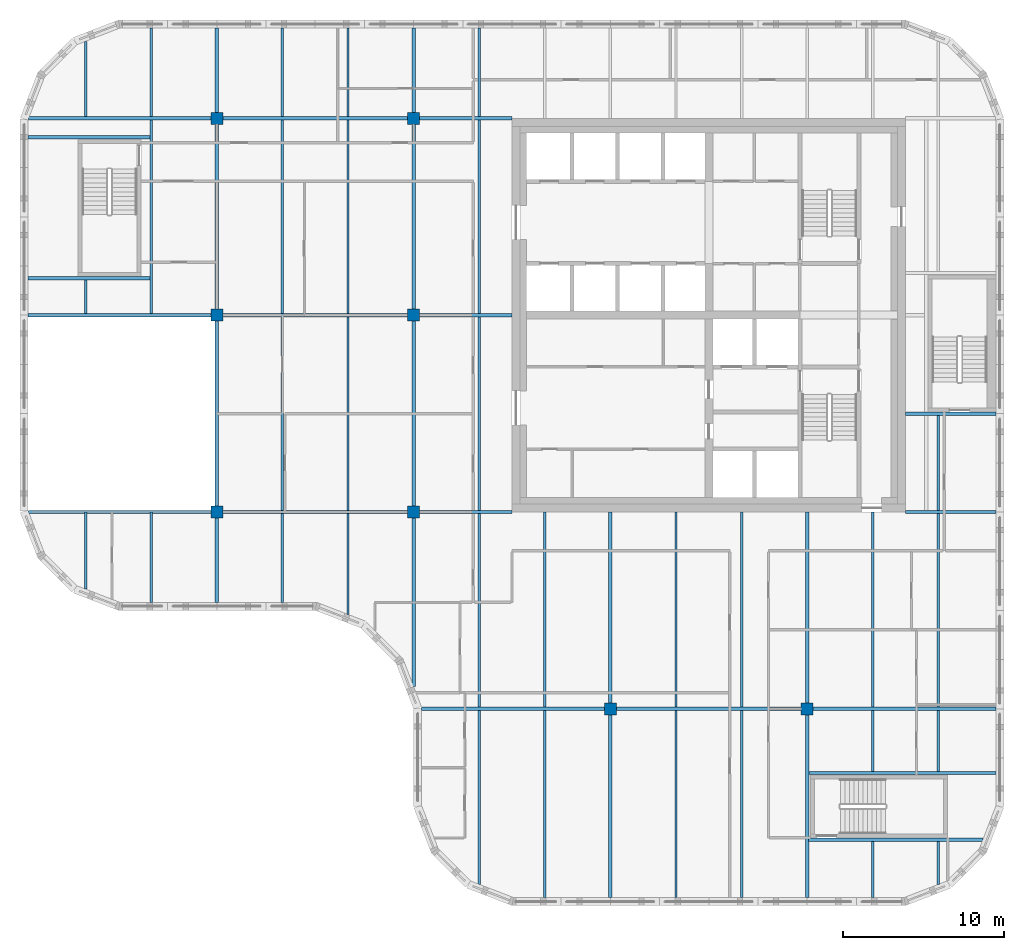
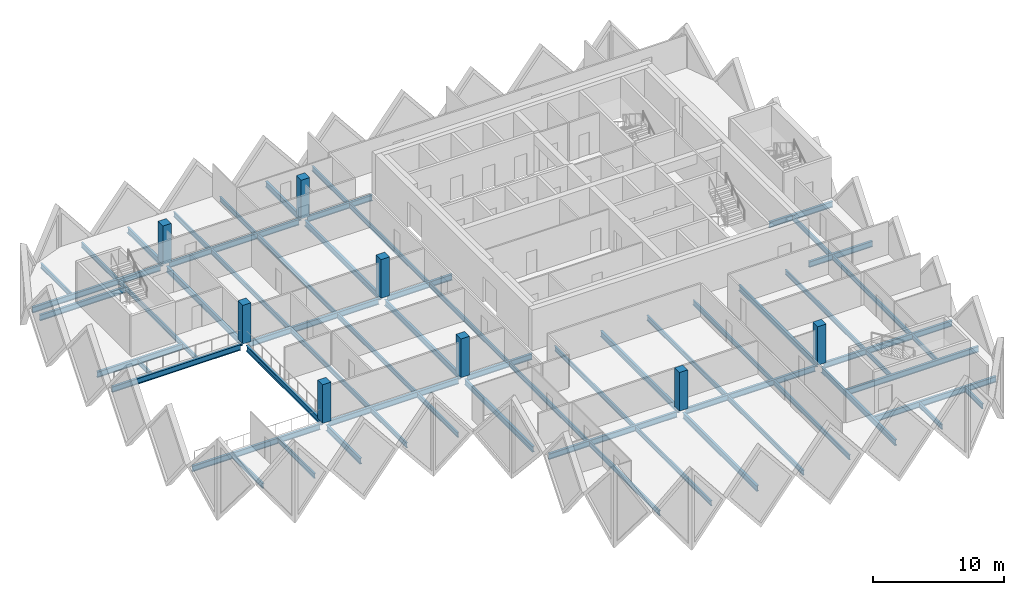
# One storey, part 1 of 12: 62 beams, 8 columns.
"""IFC4 building model written with IfcOpenShell, lengths in metres."""

from ifc_helpers import new_model, si_unit, direction, frame, origin, origin_2d, place, context, subcontext, project, spatial, rectangle, i_section, extrude, material, material_profile, profile_set, type_object, element, save


model = new_model("IFC4")

# Units and contexts
model_context = context("Model", 3, precision=1e-05, world=origin(), true_north=direction((0.0, 1.0)))
body_context = subcontext(model_context, "Body", "Model", "MODEL_VIEW")
ifc_project = project(units=[si_unit("LENGTHUNIT", "METRE"), si_unit("AREAUNIT", "SQUARE_METRE"), si_unit("VOLUMEUNIT", "CUBIC_METRE"), si_unit("PLANEANGLEUNIT", "RADIAN"), si_unit("MASSUNIT", "GRAM", prefix="KILO")], contexts=[model_context])

# Site, building, storey
site_placement = place(None, origin())
site = spatial("IfcSite", under=ifc_project, at=site_placement, CompositionType="ELEMENT")
building_placement = place(site_placement, origin())
building = spatial("IfcBuilding", under=site, at=building_placement, Name="Tessera Gate Towers", CompositionType="ELEMENT")
storey_placement = place(building_placement, frame((0.0, 0.0, 213.10009765625)))
storey = spatial("IfcBuildingStorey", under=building, at=storey_placement, Name="L53", CompositionType="ELEMENT", Elevation=213.10009765625)

# Columns
ifc_material_1 = material(Name="Concrete C70/85", Category="concrete")
ifc_material_profile_1 = material_profile(ifc_material_1, rectangle(XDim=0.75, YDim=0.75, at=origin_2d()), Name="RC 750x750")
ifc_profile_set_1 = profile_set([ifc_material_profile_1], Name="Concrete C70/85")
column_type = type_object("IfcColumnType", Name="COLUMN RC 750x750", PredefinedType="COLUMN", material=ifc_profile_set_1)
for number, where, z_axis, x_axis, name in (
    (1, (12.199951171875, 24.39990234375, 0.0), (0.0, 0.0, 1.0), (1.0, 0.0, 0.0), "T1-COL-2C-L53"),
    (2, (12.199951171875, 36.60009765625, 0.0), (0.0, 0.0, 1.0), (1.0, 0.0, 0.0), "T1-COL-2D-L53"),
    (3, (12.199951171875, 48.800048828125, 0.0), (0.0, 0.0, 1.0), (1.0, 0.0, 0.0), "T1-COL-2E-L53"),
    (4, (24.39990234375, 24.39990234375, 0.0), (0.0, 0.0, 1.0), (1.0, 0.0, 0.0), "T1-COL-3C-L53"),
    (5, (24.39990234375, 36.60009765625, 0.0), (0.0, 0.0, 1.0), (1.0, 0.0, 0.0), "T1-COL-3D-L53"),
    (6, (24.39990234375, 48.800048828125, 0.0), (0.0, 0.0, 1.0), (1.0, 0.0, 0.0), "T1-COL-3E-L53"),
    (7, (36.60009765625, 12.199951171875, 0.0), (0.0, 0.0, 1.0), (1.0, 0.0, 0.0), "T1-COL-4B-L53"),
    (8, (48.800048828125, 12.199951171875, 0.0), (0.0, 0.0, 1.0), (1.0, 0.0, 0.0), "T1-COL-5B-L53"),
):
    element("IfcColumn", number, at=place(storey_placement, frame(where, z_axis=z_axis, x_axis=x_axis)), inside=storey, type_object=column_type, Name=name, PredefinedType="COLUMN", context=body_context, shape_type="SweptSolid", body=[
        extrude(rectangle(XDim=0.75, YDim=0.75, at=origin_2d()), origin(), (0.0, 0.0, 1.0), 3.599853515625),
    ])

# Beams
ifc_material_2 = material(Name="Steel 350W", Category="steel")
ifc_material_profile_2 = material_profile(ifc_material_2, i_section(OverallWidth=0.208984375, OverallDepth=0.532958984375, WebThickness=0.01025390625, FlangeThickness=0.015625, at=origin_2d()), Name="W530x92")
ifc_profile_set_2 = profile_set([ifc_material_profile_2], Name="Steel 350W")
beam_type_1 = type_object("IfcBeamType", Name="FLOOR GIRDER W530x92", PredefinedType="BEAM", material=ifc_profile_set_2)
beam_1_placement = place(storey_placement, frame((24.89892578125, 12.199951171875, -0.466552734375), z_axis=(1.0, 0.0, 0.0), x_axis=(0.0, 1.0, 0.0)))
element("IfcBeam", 9, at=beam_1_placement, inside=storey, type_object=beam_type_1, Name="T1-GD-L53-5478", PredefinedType="BEAM", context=body_context, shape_type="SweptSolid", body=[
    extrude(i_section(OverallWidth=0.208984375, OverallDepth=0.532958984375, WebThickness=0.01025390625, FlangeThickness=0.015625, at=origin_2d()), origin(), (0.0, 0.0, 1.0), 11.326171875),
])
beam_2_placement = place(storey_placement, frame((36.97509765625, 12.199951171875, -0.466552734375), z_axis=(1.0, 0.0, 0.0), x_axis=(0.0, 1.0, 0.0)))
element("IfcBeam", 10, at=beam_2_placement, inside=storey, type_object=beam_type_1, Name="T1-GD-L53-5479", PredefinedType="BEAM", context=body_context, shape_type="SweptSolid", body=[
    extrude(i_section(OverallWidth=0.208984375, OverallDepth=0.532958984375, WebThickness=0.01025390625, FlangeThickness=0.015625, at=origin_2d()), origin(), (0.0, 0.0, 1.0), 11.449951171875),
])
beam_3_placement = place(storey_placement, frame((49.175048828125, 12.199951171875, -0.466552734375), z_axis=(1.0, 0.0, 0.0), x_axis=(0.0, 1.0, 0.0)))
element("IfcBeam", 11, at=beam_3_placement, inside=storey, type_object=beam_type_1, Name="T1-GD-L53-5480", PredefinedType="BEAM", context=body_context, shape_type="SweptSolid", body=[
    extrude(i_section(OverallWidth=0.208984375, OverallDepth=0.532958984375, WebThickness=0.01025390625, FlangeThickness=0.015625, at=origin_2d()), origin(), (0.0, 0.0, 1.0), 11.325927734375),
])
beam_4_placement = place(storey_placement, frame((0.534912109375, 24.39990234375, -0.466552734375), z_axis=(1.0, 0.0, 0.0), x_axis=(0.0, 1.0, 0.0)))
element("IfcBeam", 12, at=beam_4_placement, inside=storey, type_object=beam_type_1, Name="T1-GD-L53-5481", PredefinedType="BEAM", context=body_context, shape_type="SweptSolid", body=[
    extrude(i_section(OverallWidth=0.208984375, OverallDepth=0.532958984375, WebThickness=0.01025390625, FlangeThickness=0.015625, at=origin_2d()), origin(), (0.0, 0.0, 1.0), 11.2900390625),
])
beam_5_placement = place(storey_placement, frame((12.574951171875, 24.39990234375, -0.466552734375), z_axis=(1.0, 0.0, 0.0), x_axis=(0.0, 1.0, 0.0)))
element("IfcBeam", 13, at=beam_5_placement, inside=storey, type_object=beam_type_1, Name="T1-GD-L53-5482", PredefinedType="BEAM", context=body_context, shape_type="SweptSolid", body=[
    extrude(i_section(OverallWidth=0.208984375, OverallDepth=0.532958984375, WebThickness=0.01025390625, FlangeThickness=0.015625, at=origin_2d()), origin(), (0.0, 0.0, 1.0), 11.449951171875),
])
beam_6_placement = place(storey_placement, frame((24.77490234375, 24.39990234375, -0.466552734375), z_axis=(1.0, 0.0, 0.0), x_axis=(0.0, 1.0, 0.0)))
element("IfcBeam", 14, at=beam_6_placement, inside=storey, type_object=beam_type_1, Name="T1-GD-L53-5483", PredefinedType="BEAM", context=body_context, shape_type="SweptSolid", body=[
    extrude(i_section(OverallWidth=0.208984375, OverallDepth=0.532958984375, WebThickness=0.01025390625, FlangeThickness=0.015625, at=origin_2d()), origin(), (0.0, 0.0, 1.0), 5.72412109375),
])
beam_7_placement = place(storey_placement, frame((54.90087890625, 24.39990234375, -0.466552734375), z_axis=(1.0, 0.0, 0.0), x_axis=(0.0, 1.0, 0.0)))
element("IfcBeam", 15, at=beam_7_placement, inside=storey, type_object=beam_type_1, Name="T1-GD-L53-5484", PredefinedType="BEAM", context=body_context, shape_type="SweptSolid", body=[
    extrude(i_section(OverallWidth=0.208984375, OverallDepth=0.532958984375, WebThickness=0.01025390625, FlangeThickness=0.015625, at=origin_2d()), origin(), (0.0, 0.0, 1.0), 5.60009765625),
])
beam_8_placement = place(storey_placement, frame((0.4990234375, 36.60009765625, -0.466552734375), z_axis=(1.0, 0.0, 0.0), x_axis=(0.0, 1.0, 0.0)))
element("IfcBeam", 16, at=beam_8_placement, inside=storey, type_object=beam_type_1, Name="T1-GD-L53-5485", PredefinedType="BEAM", context=body_context, shape_type="SweptSolid", body=[
    extrude(i_section(OverallWidth=0.208984375, OverallDepth=0.532958984375, WebThickness=0.01025390625, FlangeThickness=0.015625, at=origin_2d()), origin(), (0.0, 0.0, 1.0), 11.325927734375),
])
beam_9_placement = place(storey_placement, frame((12.574951171875, 36.60009765625, -0.466552734375), z_axis=(1.0, 0.0, 0.0), x_axis=(0.0, 1.0, 0.0)))
element("IfcBeam", 17, at=beam_9_placement, inside=storey, type_object=beam_type_1, Name="T1-GD-L53-5486", PredefinedType="BEAM", context=body_context, shape_type="SweptSolid", body=[
    extrude(i_section(OverallWidth=0.208984375, OverallDepth=0.532958984375, WebThickness=0.01025390625, FlangeThickness=0.015625, at=origin_2d()), origin(), (0.0, 0.0, 1.0), 11.449951171875),
])
beam_10_placement = place(storey_placement, frame((24.77490234375, 36.60009765625, -0.466552734375), z_axis=(1.0, 0.0, 0.0), x_axis=(0.0, 1.0, 0.0)))
element("IfcBeam", 18, at=beam_10_placement, inside=storey, type_object=beam_type_1, Name="T1-GD-L53-5487", PredefinedType="BEAM", context=body_context, shape_type="SweptSolid", body=[
    extrude(i_section(OverallWidth=0.208984375, OverallDepth=0.532958984375, WebThickness=0.01025390625, FlangeThickness=0.015625, at=origin_2d()), origin(), (0.0, 0.0, 1.0), 5.72607421875),
])
beam_11_placement = place(storey_placement, frame((0.534912109375, 48.800048828125, -0.466552734375), z_axis=(1.0, 0.0, 0.0), x_axis=(0.0, 1.0, 0.0)))
element("IfcBeam", 19, at=beam_11_placement, inside=storey, type_object=beam_type_1, Name="T1-GD-L53-5489", PredefinedType="BEAM", context=body_context, shape_type="SweptSolid", body=[
    extrude(i_section(OverallWidth=0.208984375, OverallDepth=0.532958984375, WebThickness=0.01025390625, FlangeThickness=0.015625, at=origin_2d()), origin(), (0.0, 0.0, 1.0), 11.2900390625),
])
beam_12_placement = place(storey_placement, frame((12.574951171875, 48.800048828125, -0.466552734375), z_axis=(1.0, 0.0, 0.0), x_axis=(0.0, 1.0, 0.0)))
element("IfcBeam", 20, at=beam_12_placement, inside=storey, type_object=beam_type_1, Name="T1-GD-L53-5490", PredefinedType="BEAM", context=body_context, shape_type="SweptSolid", body=[
    extrude(i_section(OverallWidth=0.208984375, OverallDepth=0.532958984375, WebThickness=0.01025390625, FlangeThickness=0.015625, at=origin_2d()), origin(), (0.0, 0.0, 1.0), 11.449951171875),
])
beam_13_placement = place(storey_placement, frame((24.77490234375, 48.800048828125, -0.466552734375), z_axis=(1.0, 0.0, 0.0), x_axis=(0.0, 1.0, 0.0)))
element("IfcBeam", 21, at=beam_13_placement, inside=storey, type_object=beam_type_1, Name="T1-GD-L53-5491", PredefinedType="BEAM", context=body_context, shape_type="SweptSolid", body=[
    extrude(i_section(OverallWidth=0.208984375, OverallDepth=0.532958984375, WebThickness=0.01025390625, FlangeThickness=0.015625, at=origin_2d()), origin(), (0.0, 0.0, 1.0), 5.72412109375),
])
beam_14_placement = place(storey_placement, frame((12.199951171875, 18.799072265625, -0.466552734375), z_axis=(0.0, 1.0, 0.0), x_axis=(-1.0, 0.0, 0.0)))
element("IfcBeam", 22, at=beam_14_placement, inside=storey, type_object=beam_type_1, Name="T1-GD-L53-5493", PredefinedType="BEAM", context=body_context, shape_type="SweptSolid", body=[
    extrude(i_section(OverallWidth=0.208984375, OverallDepth=0.532958984375, WebThickness=0.01025390625, FlangeThickness=0.015625, at=origin_2d()), origin(), (0.0, 0.0, 1.0), 5.225830078125),
])
beam_15_placement = place(storey_placement, frame((12.199951171875, 24.77490234375, -0.466552734375), z_axis=(0.0, 1.0, 0.0), x_axis=(-1.0, 0.0, 0.0)))
element("IfcBeam", 23, at=beam_15_placement, inside=storey, type_object=beam_type_1, Name="T1-GD-L53-5494", PredefinedType="BEAM", context=body_context, shape_type="SweptSolid", body=[
    extrude(i_section(OverallWidth=0.208984375, OverallDepth=0.532958984375, WebThickness=0.01025390625, FlangeThickness=0.015625, at=origin_2d()), origin(), (0.0, 0.0, 1.0), 11.4501953125),
])
beam_16_placement = place(storey_placement, frame((12.199951171875, 36.97509765625, -0.466552734375), z_axis=(0.0, 1.0, 0.0), x_axis=(-1.0, 0.0, 0.0)))
element("IfcBeam", 24, at=beam_16_placement, inside=storey, type_object=beam_type_1, Name="T1-GD-L53-5495", PredefinedType="BEAM", context=body_context, shape_type="SweptSolid", body=[
    extrude(i_section(OverallWidth=0.208984375, OverallDepth=0.532958984375, WebThickness=0.01025390625, FlangeThickness=0.015625, at=origin_2d()), origin(), (0.0, 0.0, 1.0), 11.449951171875),
])
beam_17_placement = place(storey_placement, frame((12.199951171875, 49.175048828125, -0.466552734375), z_axis=(0.0, 1.0, 0.0), x_axis=(-1.0, 0.0, 0.0)))
element("IfcBeam", 25, at=beam_17_placement, inside=storey, type_object=beam_type_1, Name="T1-GD-L53-5496", PredefinedType="BEAM", context=body_context, shape_type="SweptSolid", body=[
    extrude(i_section(OverallWidth=0.208984375, OverallDepth=0.532958984375, WebThickness=0.01025390625, FlangeThickness=0.015625, at=origin_2d()), origin(), (0.0, 0.0, 1.0), 5.225830078125),
])
beam_18_placement = place(storey_placement, frame((24.39990234375, 13.58642578125, -0.466552734375), z_axis=(0.0, 1.0, 0.0), x_axis=(-1.0, 0.0, 0.0)))
element("IfcBeam", 26, at=beam_18_placement, inside=storey, type_object=beam_type_1, Name="T1-GD-L53-5497", PredefinedType="BEAM", context=body_context, shape_type="SweptSolid", body=[
    extrude(i_section(OverallWidth=0.208984375, OverallDepth=0.532958984375, WebThickness=0.01025390625, FlangeThickness=0.015625, at=origin_2d()), origin(), (0.0, 0.0, 1.0), 10.4384765625),
])
beam_19_placement = place(storey_placement, frame((24.39990234375, 24.77490234375, -0.466552734375), z_axis=(0.0, 1.0, 0.0), x_axis=(-1.0, 0.0, 0.0)))
element("IfcBeam", 27, at=beam_19_placement, inside=storey, type_object=beam_type_1, Name="T1-GD-L53-5498", PredefinedType="BEAM", context=body_context, shape_type="SweptSolid", body=[
    extrude(i_section(OverallWidth=0.208984375, OverallDepth=0.532958984375, WebThickness=0.01025390625, FlangeThickness=0.015625, at=origin_2d()), origin(), (0.0, 0.0, 1.0), 11.4501953125),
])
beam_20_placement = place(storey_placement, frame((24.39990234375, 36.97509765625, -0.466552734375), z_axis=(0.0, 1.0, 0.0), x_axis=(-1.0, 0.0, 0.0)))
element("IfcBeam", 28, at=beam_20_placement, inside=storey, type_object=beam_type_1, Name="T1-GD-L53-5499", PredefinedType="BEAM", context=body_context, shape_type="SweptSolid", body=[
    extrude(i_section(OverallWidth=0.208984375, OverallDepth=0.532958984375, WebThickness=0.01025390625, FlangeThickness=0.015625, at=origin_2d()), origin(), (0.0, 0.0, 1.0), 11.449951171875),
])
beam_21_placement = place(storey_placement, frame((24.39990234375, 49.175048828125, -0.466552734375), z_axis=(0.0, 1.0, 0.0), x_axis=(-1.0, 0.0, 0.0)))
element("IfcBeam", 29, at=beam_21_placement, inside=storey, type_object=beam_type_1, Name="T1-GD-L53-5500", PredefinedType="BEAM", context=body_context, shape_type="SweptSolid", body=[
    extrude(i_section(OverallWidth=0.208984375, OverallDepth=0.532958984375, WebThickness=0.01025390625, FlangeThickness=0.015625, at=origin_2d()), origin(), (0.0, 0.0, 1.0), 5.225830078125),
])
beam_22_placement = place(storey_placement, frame((36.60009765625, 0.4990234375, -0.466552734375), z_axis=(0.0, 1.0, 0.0), x_axis=(-1.0, 0.0, 0.0)))
element("IfcBeam", 30, at=beam_22_placement, inside=storey, type_object=beam_type_1, Name="T1-GD-L53-5501", PredefinedType="BEAM", context=body_context, shape_type="SweptSolid", body=[
    extrude(i_section(OverallWidth=0.208984375, OverallDepth=0.532958984375, WebThickness=0.01025390625, FlangeThickness=0.015625, at=origin_2d()), origin(), (0.0, 0.0, 1.0), 11.325927734375),
])
beam_23_placement = place(storey_placement, frame((36.60009765625, 12.574951171875, -0.466552734375), z_axis=(0.0, 1.0, 0.0), x_axis=(-1.0, 0.0, 0.0)))
element("IfcBeam", 31, at=beam_23_placement, inside=storey, type_object=beam_type_1, Name="T1-GD-L53-5502", PredefinedType="BEAM", context=body_context, shape_type="SweptSolid", body=[
    extrude(i_section(OverallWidth=0.208984375, OverallDepth=0.532958984375, WebThickness=0.01025390625, FlangeThickness=0.015625, at=origin_2d()), origin(), (0.0, 0.0, 1.0), 11.824951171875),
])
beam_24_placement = place(storey_placement, frame((48.800048828125, 0.4990234375, -0.466552734375), z_axis=(0.0, 1.0, 0.0), x_axis=(-1.0, 0.0, 0.0)))
element("IfcBeam", 32, at=beam_24_placement, inside=storey, type_object=beam_type_1, Name="T1-GD-L53-5503", PredefinedType="BEAM", context=body_context, shape_type="SweptSolid", body=[
    extrude(i_section(OverallWidth=0.208984375, OverallDepth=0.532958984375, WebThickness=0.01025390625, FlangeThickness=0.015625, at=origin_2d()), origin(), (0.0, 0.0, 1.0), 11.325927734375),
])
beam_25_placement = place(storey_placement, frame((48.800048828125, 12.574951171875, -0.466552734375), z_axis=(0.0, 1.0, 0.0), x_axis=(-1.0, 0.0, 0.0)))
element("IfcBeam", 33, at=beam_25_placement, inside=storey, type_object=beam_type_1, Name="T1-GD-L53-5504", PredefinedType="BEAM", context=body_context, shape_type="SweptSolid", body=[
    extrude(i_section(OverallWidth=0.208984375, OverallDepth=0.532958984375, WebThickness=0.01025390625, FlangeThickness=0.015625, at=origin_2d()), origin(), (0.0, 0.0, 1.0), 11.824951171875),
])
for number, where, z_axis, x_axis, name in (
    (34, (0.4990234375, 38.8798828125, -0.466552734375), (1.0, 0.0, 0.0), (0.0, 1.0, 0.0), "T1-GD-L53-5505"),
    (35, (0.4990234375, 47.6201171875, -0.466552734375), (1.0, 0.0, 0.0), (0.0, 1.0, 0.0), "T1-GD-L53-5506"),
):
    element("IfcBeam", number, at=place(storey_placement, frame(where, z_axis=z_axis, x_axis=x_axis)), inside=storey, type_object=beam_type_1, Name=name, PredefinedType="BEAM", context=body_context, shape_type="SweptSolid", body=[
        extrude(i_section(OverallWidth=0.208984375, OverallDepth=0.532958984375, WebThickness=0.01025390625, FlangeThickness=0.015625, at=origin_2d()), origin(), (0.0, 0.0, 1.0), 7.557861328125),
    ])
beam_26_placement = place(storey_placement, frame((48.87646484375, 4.080078125, -0.466552734375), z_axis=(1.0, 0.0, 0.0), x_axis=(0.0, 1.0, 0.0)))
element("IfcBeam", 36, at=beam_26_placement, inside=storey, type_object=beam_type_1, Name="T1-GD-L53-5507", PredefinedType="BEAM", context=body_context, shape_type="SweptSolid", body=[
    extrude(i_section(OverallWidth=0.208984375, OverallDepth=0.532958984375, WebThickness=0.01025390625, FlangeThickness=0.015625, at=origin_2d()), origin(), (0.0, 0.0, 1.0), 10.809326171875),
])
beam_27_placement = place(storey_placement, frame((48.87646484375, 8.219970703125, -0.466552734375), z_axis=(1.0, 0.0, 0.0), x_axis=(0.0, 1.0, 0.0)))
element("IfcBeam", 37, at=beam_27_placement, inside=storey, type_object=beam_type_1, Name="T1-GD-L53-5508", PredefinedType="BEAM", context=body_context, shape_type="SweptSolid", body=[
    extrude(i_section(OverallWidth=0.208984375, OverallDepth=0.532958984375, WebThickness=0.01025390625, FlangeThickness=0.015625, at=origin_2d()), origin(), (0.0, 0.0, 1.0), 11.62451171875),
])
beam_28_placement = place(storey_placement, frame((54.89892578125, 30.47998046875, -0.466552734375), z_axis=(1.0, 0.0, 0.0), x_axis=(0.0, 1.0, 0.0)))
element("IfcBeam", 38, at=beam_28_placement, inside=storey, type_object=beam_type_1, Name="T1-GD-L53-5509", PredefinedType="BEAM", context=body_context, shape_type="SweptSolid", body=[
    extrude(i_section(OverallWidth=0.208984375, OverallDepth=0.532958984375, WebThickness=0.01025390625, FlangeThickness=0.015625, at=origin_2d()), origin(), (0.0, 0.0, 1.0), 5.60205078125),
])
ifc_material_3 = material(Name="Steel 350W", Category="steel")
ifc_material_profile_3 = material_profile(ifc_material_3, i_section(OverallWidth=0.153076171875, OverallDepth=0.455078125, WebThickness=0.008056640625, FlangeThickness=0.01318359375, at=origin_2d()), Name="W460x60")
ifc_profile_set_3 = profile_set([ifc_material_profile_3], Name="Steel 350W")
beam_type_2 = type_object("IfcBeamType", Name="FLOOR SECONDARY W460x60", PredefinedType="BEAM", material=ifc_profile_set_3)
beam_29_placement = place(storey_placement, frame((4.066650390625, 19.620361328125, -0.427490234375), z_axis=(0.0, 1.0, 0.0), x_axis=(-1.0, 0.0, 0.0)))
element("IfcBeam", 39, at=beam_29_placement, inside=storey, type_object=beam_type_2, Name="T1-BM-L53-5512", PredefinedType="BEAM", context=body_context, shape_type="SweptSolid", body=[
    extrude(i_section(OverallWidth=0.153076171875, OverallDepth=0.455078125, WebThickness=0.008056640625, FlangeThickness=0.01318359375, at=origin_2d()), origin(), (0.0, 0.0, 1.0), 4.779541015625),
])
beam_30_placement = place(storey_placement, frame((4.066650390625, 36.70458984375, -0.427490234375), z_axis=(0.0, 1.0, 0.0), x_axis=(-1.0, 0.0, 0.0)))
element("IfcBeam", 40, at=beam_30_placement, inside=storey, type_object=beam_type_2, Name="T1-BM-L53-5513", PredefinedType="BEAM", context=body_context, shape_type="SweptSolid", body=[
    extrude(i_section(OverallWidth=0.153076171875, OverallDepth=0.455078125, WebThickness=0.008056640625, FlangeThickness=0.01318359375, at=origin_2d()), origin(), (0.0, 0.0, 1.0), 2.07080078125),
])
beam_31_placement = place(storey_placement, frame((4.066650390625, 48.904541015625, -0.427490234375), z_axis=(0.0, 1.0, 0.0), x_axis=(-1.0, 0.0, 0.0)))
element("IfcBeam", 41, at=beam_31_placement, inside=storey, type_object=beam_type_2, Name="T1-BM-L53-5514", PredefinedType="BEAM", context=body_context, shape_type="SweptSolid", body=[
    extrude(i_section(OverallWidth=0.153076171875, OverallDepth=0.455078125, WebThickness=0.008056640625, FlangeThickness=0.01318359375, at=origin_2d()), origin(), (0.0, 0.0, 1.0), 4.675048828125),
])
beam_32_placement = place(storey_placement, frame((8.13330078125, 18.800048828125, -0.427490234375), z_axis=(0.0, 1.0, 0.0), x_axis=(-1.0, 0.0, 0.0)))
element("IfcBeam", 42, at=beam_32_placement, inside=storey, type_object=beam_type_2, Name="T1-BM-L53-5515", PredefinedType="BEAM", context=body_context, shape_type="SweptSolid", body=[
    extrude(i_section(OverallWidth=0.153076171875, OverallDepth=0.455078125, WebThickness=0.008056640625, FlangeThickness=0.01318359375, at=origin_2d()), origin(), (0.0, 0.0, 1.0), 5.599853515625),
])
beam_33_placement = place(storey_placement, frame((8.13330078125, 36.70458984375, -0.427490234375), z_axis=(0.0, 1.0, 0.0), x_axis=(-1.0, 0.0, 0.0)))
element("IfcBeam", 43, at=beam_33_placement, inside=storey, type_object=beam_type_2, Name="T1-BM-L53-5516", PredefinedType="BEAM", context=body_context, shape_type="SweptSolid", body=[
    extrude(i_section(OverallWidth=0.153076171875, OverallDepth=0.455078125, WebThickness=0.008056640625, FlangeThickness=0.01318359375, at=origin_2d()), origin(), (0.0, 0.0, 1.0), 11.990966796875),
])
for number, where, z_axis, x_axis, name in (
    (44, (8.13330078125, 48.904541015625, -0.427490234375), (0.0, 1.0, 0.0), (-1.0, 0.0, 0.0), "T1-BM-L53-5517"),
    (45, (16.2666015625, 18.800048828125, -0.427490234375), (0.0, 1.0, 0.0), (-1.0, 0.0, 0.0), "T1-BM-L53-5518"),
):
    element("IfcBeam", number, at=place(storey_placement, frame(where, z_axis=z_axis, x_axis=x_axis)), inside=storey, type_object=beam_type_2, Name=name, PredefinedType="BEAM", context=body_context, shape_type="SweptSolid", body=[
        extrude(i_section(OverallWidth=0.153076171875, OverallDepth=0.455078125, WebThickness=0.008056640625, FlangeThickness=0.01318359375, at=origin_2d()), origin(), (0.0, 0.0, 1.0), 5.495361328125),
    ])
beam_34_placement = place(storey_placement, frame((16.2666015625, 24.50439453125, -0.427490234375), z_axis=(0.0, 1.0, 0.0), x_axis=(-1.0, 0.0, 0.0)))
element("IfcBeam", 46, at=beam_34_placement, inside=storey, type_object=beam_type_2, Name="T1-BM-L53-5519", PredefinedType="BEAM", context=body_context, shape_type="SweptSolid", body=[
    extrude(i_section(OverallWidth=0.153076171875, OverallDepth=0.455078125, WebThickness=0.008056640625, FlangeThickness=0.01318359375, at=origin_2d()), origin(), (0.0, 0.0, 1.0), 11.9912109375),
])
beam_35_placement = place(storey_placement, frame((16.2666015625, 36.70458984375, -0.427490234375), z_axis=(0.0, 1.0, 0.0), x_axis=(-1.0, 0.0, 0.0)))
element("IfcBeam", 47, at=beam_35_placement, inside=storey, type_object=beam_type_2, Name="T1-BM-L53-5520", PredefinedType="BEAM", context=body_context, shape_type="SweptSolid", body=[
    extrude(i_section(OverallWidth=0.153076171875, OverallDepth=0.455078125, WebThickness=0.008056640625, FlangeThickness=0.01318359375, at=origin_2d()), origin(), (0.0, 0.0, 1.0), 11.990966796875),
])
beam_36_placement = place(storey_placement, frame((16.2666015625, 48.904541015625, -0.427490234375), z_axis=(0.0, 1.0, 0.0), x_axis=(-1.0, 0.0, 0.0)))
element("IfcBeam", 48, at=beam_36_placement, inside=storey, type_object=beam_type_2, Name="T1-BM-L53-5521", PredefinedType="BEAM", context=body_context, shape_type="SweptSolid", body=[
    extrude(i_section(OverallWidth=0.153076171875, OverallDepth=0.455078125, WebThickness=0.008056640625, FlangeThickness=0.01318359375, at=origin_2d()), origin(), (0.0, 0.0, 1.0), 5.495361328125),
])
beam_37_placement = place(storey_placement, frame((20.333251953125, 18.051513671875, -0.427490234375), z_axis=(0.0, 1.0, 0.0), x_axis=(-1.0, 0.0, 0.0)))
element("IfcBeam", 49, at=beam_37_placement, inside=storey, type_object=beam_type_2, Name="T1-BM-L53-5522", PredefinedType="BEAM", context=body_context, shape_type="SweptSolid", body=[
    extrude(i_section(OverallWidth=0.153076171875, OverallDepth=0.455078125, WebThickness=0.008056640625, FlangeThickness=0.01318359375, at=origin_2d()), origin(), (0.0, 0.0, 1.0), 6.243896484375),
])
beam_38_placement = place(storey_placement, frame((20.333251953125, 24.50439453125, -0.427490234375), z_axis=(0.0, 1.0, 0.0), x_axis=(-1.0, 0.0, 0.0)))
element("IfcBeam", 50, at=beam_38_placement, inside=storey, type_object=beam_type_2, Name="T1-BM-L53-5523", PredefinedType="BEAM", context=body_context, shape_type="SweptSolid", body=[
    extrude(i_section(OverallWidth=0.153076171875, OverallDepth=0.455078125, WebThickness=0.008056640625, FlangeThickness=0.01318359375, at=origin_2d()), origin(), (0.0, 0.0, 1.0), 11.9912109375),
])
beam_39_placement = place(storey_placement, frame((20.333251953125, 36.70458984375, -0.427490234375), z_axis=(0.0, 1.0, 0.0), x_axis=(-1.0, 0.0, 0.0)))
element("IfcBeam", 51, at=beam_39_placement, inside=storey, type_object=beam_type_2, Name="T1-BM-L53-5524", PredefinedType="BEAM", context=body_context, shape_type="SweptSolid", body=[
    extrude(i_section(OverallWidth=0.153076171875, OverallDepth=0.455078125, WebThickness=0.008056640625, FlangeThickness=0.01318359375, at=origin_2d()), origin(), (0.0, 0.0, 1.0), 11.990966796875),
])
beam_40_placement = place(storey_placement, frame((20.333251953125, 48.904541015625, -0.427490234375), z_axis=(0.0, 1.0, 0.0), x_axis=(-1.0, 0.0, 0.0)))
element("IfcBeam", 52, at=beam_40_placement, inside=storey, type_object=beam_type_2, Name="T1-BM-L53-5525", PredefinedType="BEAM", context=body_context, shape_type="SweptSolid", body=[
    extrude(i_section(OverallWidth=0.153076171875, OverallDepth=0.455078125, WebThickness=0.008056640625, FlangeThickness=0.01318359375, at=origin_2d()), origin(), (0.0, 0.0, 1.0), 5.495361328125),
])
beam_41_placement = place(storey_placement, frame((28.466796875, 1.3203125, -0.427490234375), z_axis=(0.0, 1.0, 0.0), x_axis=(-1.0, 0.0, 0.0)))
element("IfcBeam", 53, at=beam_41_placement, inside=storey, type_object=beam_type_2, Name="T1-BM-L53-5526", PredefinedType="BEAM", context=body_context, shape_type="SweptSolid", body=[
    extrude(i_section(OverallWidth=0.153076171875, OverallDepth=0.455078125, WebThickness=0.008056640625, FlangeThickness=0.01318359375, at=origin_2d()), origin(), (0.0, 0.0, 1.0), 10.775146484375),
])
beam_42_placement = place(storey_placement, frame((28.466796875, 12.304443359375, -0.427490234375), z_axis=(0.0, 1.0, 0.0), x_axis=(-1.0, 0.0, 0.0)))
element("IfcBeam", 54, at=beam_42_placement, inside=storey, type_object=beam_type_2, Name="T1-BM-L53-5527", PredefinedType="BEAM", context=body_context, shape_type="SweptSolid", body=[
    extrude(i_section(OverallWidth=0.153076171875, OverallDepth=0.455078125, WebThickness=0.008056640625, FlangeThickness=0.01318359375, at=origin_2d()), origin(), (0.0, 0.0, 1.0), 11.990966796875),
])
beam_43_placement = place(storey_placement, frame((28.466796875, 24.50439453125, -0.427490234375), z_axis=(0.0, 1.0, 0.0), x_axis=(-1.0, 0.0, 0.0)))
element("IfcBeam", 55, at=beam_43_placement, inside=storey, type_object=beam_type_2, Name="T1-BM-L53-5528", PredefinedType="BEAM", context=body_context, shape_type="SweptSolid", body=[
    extrude(i_section(OverallWidth=0.153076171875, OverallDepth=0.455078125, WebThickness=0.008056640625, FlangeThickness=0.01318359375, at=origin_2d()), origin(), (0.0, 0.0, 1.0), 11.9912109375),
])
beam_44_placement = place(storey_placement, frame((28.466796875, 36.70458984375, -0.427490234375), z_axis=(0.0, 1.0, 0.0), x_axis=(-1.0, 0.0, 0.0)))
element("IfcBeam", 56, at=beam_44_placement, inside=storey, type_object=beam_type_2, Name="T1-BM-L53-5529", PredefinedType="BEAM", context=body_context, shape_type="SweptSolid", body=[
    extrude(i_section(OverallWidth=0.153076171875, OverallDepth=0.455078125, WebThickness=0.008056640625, FlangeThickness=0.01318359375, at=origin_2d()), origin(), (0.0, 0.0, 1.0), 11.990966796875),
])
beam_45_placement = place(storey_placement, frame((28.466796875, 48.904541015625, -0.427490234375), z_axis=(0.0, 1.0, 0.0), x_axis=(-1.0, 0.0, 0.0)))
element("IfcBeam", 57, at=beam_45_placement, inside=storey, type_object=beam_type_2, Name="T1-BM-L53-5530", PredefinedType="BEAM", context=body_context, shape_type="SweptSolid", body=[
    extrude(i_section(OverallWidth=0.153076171875, OverallDepth=0.455078125, WebThickness=0.008056640625, FlangeThickness=0.01318359375, at=origin_2d()), origin(), (0.0, 0.0, 1.0), 5.495361328125),
])
beam_46_placement = place(storey_placement, frame((32.533203125, 0.5, -0.427490234375), z_axis=(0.0, 1.0, 0.0), x_axis=(-1.0, 0.0, 0.0)))
element("IfcBeam", 58, at=beam_46_placement, inside=storey, type_object=beam_type_2, Name="T1-BM-L53-5531", PredefinedType="BEAM", context=body_context, shape_type="SweptSolid", body=[
    extrude(i_section(OverallWidth=0.153076171875, OverallDepth=0.455078125, WebThickness=0.008056640625, FlangeThickness=0.01318359375, at=origin_2d()), origin(), (0.0, 0.0, 1.0), 11.595458984375),
])
beam_47_placement = place(storey_placement, frame((32.533203125, 12.304443359375, -0.427490234375), z_axis=(0.0, 1.0, 0.0), x_axis=(-1.0, 0.0, 0.0)))
element("IfcBeam", 59, at=beam_47_placement, inside=storey, type_object=beam_type_2, Name="T1-BM-L53-5532", PredefinedType="BEAM", context=body_context, shape_type="SweptSolid", body=[
    extrude(i_section(OverallWidth=0.153076171875, OverallDepth=0.455078125, WebThickness=0.008056640625, FlangeThickness=0.01318359375, at=origin_2d()), origin(), (0.0, 0.0, 1.0), 12.095458984375),
])
beam_48_placement = place(storey_placement, frame((40.666748046875, 0.5, -0.427490234375), z_axis=(0.0, 1.0, 0.0), x_axis=(-1.0, 0.0, 0.0)))
element("IfcBeam", 60, at=beam_48_placement, inside=storey, type_object=beam_type_2, Name="T1-BM-L53-5535", PredefinedType="BEAM", context=body_context, shape_type="SweptSolid", body=[
    extrude(i_section(OverallWidth=0.153076171875, OverallDepth=0.455078125, WebThickness=0.008056640625, FlangeThickness=0.01318359375, at=origin_2d()), origin(), (0.0, 0.0, 1.0), 11.595458984375),
])
beam_49_placement = place(storey_placement, frame((40.666748046875, 12.304443359375, -0.427490234375), z_axis=(0.0, 1.0, 0.0), x_axis=(-1.0, 0.0, 0.0)))
element("IfcBeam", 61, at=beam_49_placement, inside=storey, type_object=beam_type_2, Name="T1-BM-L53-5536", PredefinedType="BEAM", context=body_context, shape_type="SweptSolid", body=[
    extrude(i_section(OverallWidth=0.153076171875, OverallDepth=0.455078125, WebThickness=0.008056640625, FlangeThickness=0.01318359375, at=origin_2d()), origin(), (0.0, 0.0, 1.0), 12.095458984375),
])
beam_50_placement = place(storey_placement, frame((44.7333984375, 0.5, -0.427490234375), z_axis=(0.0, 1.0, 0.0), x_axis=(-1.0, 0.0, 0.0)))
element("IfcBeam", 62, at=beam_50_placement, inside=storey, type_object=beam_type_2, Name="T1-BM-L53-5538", PredefinedType="BEAM", context=body_context, shape_type="SweptSolid", body=[
    extrude(i_section(OverallWidth=0.153076171875, OverallDepth=0.455078125, WebThickness=0.008056640625, FlangeThickness=0.01318359375, at=origin_2d()), origin(), (0.0, 0.0, 1.0), 11.595458984375),
])
beam_51_placement = place(storey_placement, frame((44.7333984375, 12.304443359375, -0.427490234375), z_axis=(0.0, 1.0, 0.0), x_axis=(-1.0, 0.0, 0.0)))
element("IfcBeam", 63, at=beam_51_placement, inside=storey, type_object=beam_type_2, Name="T1-BM-L53-5539", PredefinedType="BEAM", context=body_context, shape_type="SweptSolid", body=[
    extrude(i_section(OverallWidth=0.153076171875, OverallDepth=0.455078125, WebThickness=0.008056640625, FlangeThickness=0.01318359375, at=origin_2d()), origin(), (0.0, 0.0, 1.0), 12.095458984375),
])
beam_52_placement = place(storey_placement, frame((52.86669921875, 0.5, -0.427490234375), z_axis=(0.0, 1.0, 0.0), x_axis=(-1.0, 0.0, 0.0)))
element("IfcBeam", 64, at=beam_52_placement, inside=storey, type_object=beam_type_2, Name="T1-BM-L53-5542", PredefinedType="BEAM", context=body_context, shape_type="SweptSolid", body=[
    extrude(i_section(OverallWidth=0.153076171875, OverallDepth=0.455078125, WebThickness=0.008056640625, FlangeThickness=0.01318359375, at=origin_2d()), origin(), (0.0, 0.0, 1.0), 3.4755859375),
])
beam_53_placement = place(storey_placement, frame((52.86669921875, 8.324462890625, -0.427490234375), z_axis=(0.0, 1.0, 0.0), x_axis=(-1.0, 0.0, 0.0)))
element("IfcBeam", 65, at=beam_53_placement, inside=storey, type_object=beam_type_2, Name="T1-BM-L53-5543", PredefinedType="BEAM", context=body_context, shape_type="SweptSolid", body=[
    extrude(i_section(OverallWidth=0.153076171875, OverallDepth=0.455078125, WebThickness=0.008056640625, FlangeThickness=0.01318359375, at=origin_2d()), origin(), (0.0, 0.0, 1.0), 3.77099609375),
])
beam_54_placement = place(storey_placement, frame((52.86669921875, 12.304443359375, -0.427490234375), z_axis=(0.0, 1.0, 0.0), x_axis=(-1.0, 0.0, 0.0)))
element("IfcBeam", 66, at=beam_54_placement, inside=storey, type_object=beam_type_2, Name="T1-BM-L53-5544", PredefinedType="BEAM", context=body_context, shape_type="SweptSolid", body=[
    extrude(i_section(OverallWidth=0.153076171875, OverallDepth=0.455078125, WebThickness=0.008056640625, FlangeThickness=0.01318359375, at=origin_2d()), origin(), (0.0, 0.0, 1.0), 12.095458984375),
])
beam_55_placement = place(storey_placement, frame((56.933349609375, 1.3203125, -0.427490234375), z_axis=(0.0, 1.0, 0.0), x_axis=(-1.0, 0.0, 0.0)))
element("IfcBeam", 67, at=beam_55_placement, inside=storey, type_object=beam_type_2, Name="T1-BM-L53-5546", PredefinedType="BEAM", context=body_context, shape_type="SweptSolid", body=[
    extrude(i_section(OverallWidth=0.153076171875, OverallDepth=0.455078125, WebThickness=0.008056640625, FlangeThickness=0.01318359375, at=origin_2d()), origin(), (0.0, 0.0, 1.0), 2.6552734375),
])
beam_56_placement = place(storey_placement, frame((56.933349609375, 8.324462890625, -0.427490234375), z_axis=(0.0, 1.0, 0.0), x_axis=(-1.0, 0.0, 0.0)))
element("IfcBeam", 68, at=beam_56_placement, inside=storey, type_object=beam_type_2, Name="T1-BM-L53-5547", PredefinedType="BEAM", context=body_context, shape_type="SweptSolid", body=[
    extrude(i_section(OverallWidth=0.153076171875, OverallDepth=0.455078125, WebThickness=0.008056640625, FlangeThickness=0.01318359375, at=origin_2d()), origin(), (0.0, 0.0, 1.0), 3.77099609375),
])
beam_57_placement = place(storey_placement, frame((56.933349609375, 12.304443359375, -0.427490234375), z_axis=(0.0, 1.0, 0.0), x_axis=(-1.0, 0.0, 0.0)))
element("IfcBeam", 69, at=beam_57_placement, inside=storey, type_object=beam_type_2, Name="T1-BM-L53-5548", PredefinedType="BEAM", context=body_context, shape_type="SweptSolid", body=[
    extrude(i_section(OverallWidth=0.153076171875, OverallDepth=0.455078125, WebThickness=0.008056640625, FlangeThickness=0.01318359375, at=origin_2d()), origin(), (0.0, 0.0, 1.0), 11.990966796875),
])
beam_58_placement = place(storey_placement, frame((56.933349609375, 24.50439453125, -0.427490234375), z_axis=(0.0, 1.0, 0.0), x_axis=(-1.0, 0.0, 0.0)))
element("IfcBeam", 70, at=beam_58_placement, inside=storey, type_object=beam_type_2, Name="T1-BM-L53-5549", PredefinedType="BEAM", context=body_context, shape_type="SweptSolid", body=[
    extrude(i_section(OverallWidth=0.153076171875, OverallDepth=0.455078125, WebThickness=0.008056640625, FlangeThickness=0.01318359375, at=origin_2d()), origin(), (0.0, 0.0, 1.0), 5.87109375),
])

save(model, "model.ifc")
